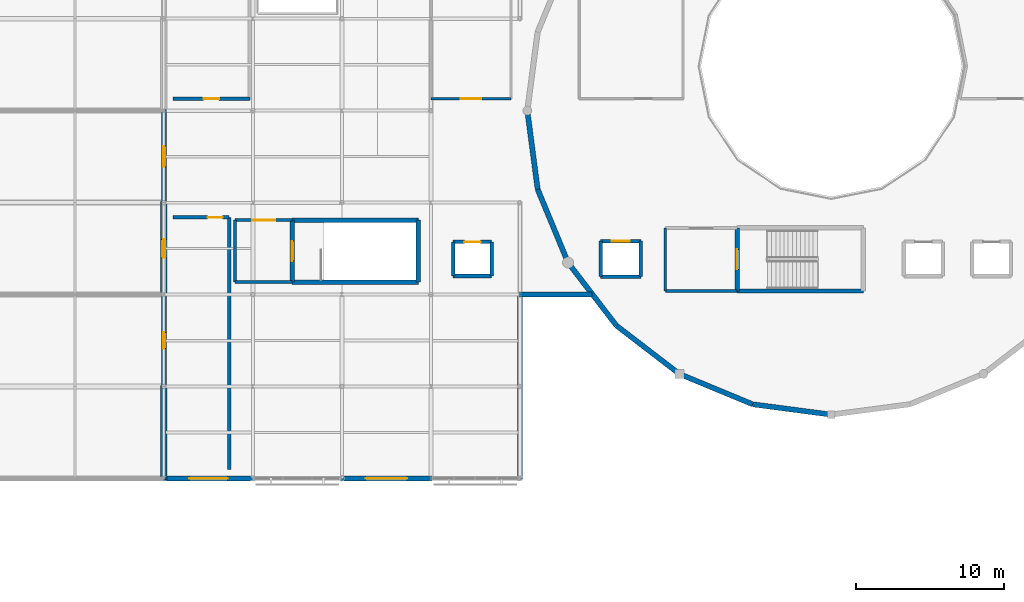
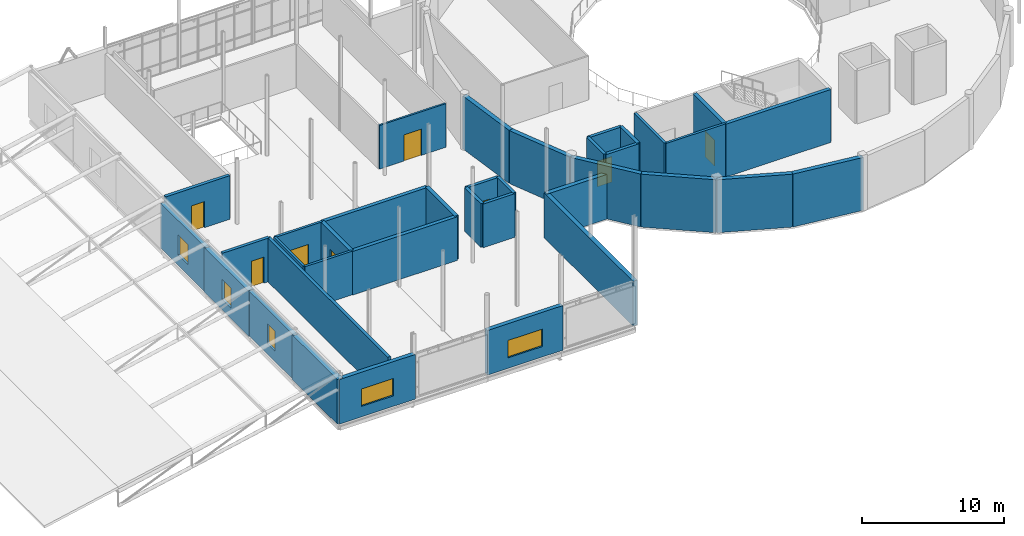
# One storey, part 44 of 66: 37 walls, 8 doors, 5 windows, 13 openings.
"""IFC4 building model written with IfcOpenShell, lengths in metres."""

from ifc_helpers import new_model, si_unit, direction, frame, frame_2d, origin, place, context, subcontext, project, spatial, rectangle, extrude, material, layer, layer_set, type_object, element, fill, save


model = new_model("IFC4")

# Units and contexts
model_context = context("Model", 3, precision=1e-05, world=origin(), true_north=direction((0.0, 1.0)))
body_context = subcontext(model_context, "Body", "Model", "MODEL_VIEW")
ifc_project = project(units=[si_unit("LENGTHUNIT", "METRE"), si_unit("AREAUNIT", "SQUARE_METRE"), si_unit("VOLUMEUNIT", "CUBIC_METRE"), si_unit("PLANEANGLEUNIT", "RADIAN"), si_unit("MASSUNIT", "GRAM", prefix="KILO")], contexts=[model_context])

# Site, building, storey
site_placement = place(None, origin())
site = spatial("IfcSite", under=ifc_project, at=site_placement, CompositionType="ELEMENT")
building_placement = place(site_placement, origin())
building = spatial("IfcBuilding", under=site, at=building_placement, Name="Mirzam Square Science Centre", CompositionType="ELEMENT")
storey_placement = place(building_placement, frame((0.0, 0.0, 15.60009765625)))
storey = spatial("IfcBuildingStorey", under=building, at=storey_placement, Name="L03", CompositionType="ELEMENT", Elevation=15.60009765625)

# Walls
ifc_material_1 = material(Name="Concrete C45/55", Category="concrete")
ifc_layer_1 = layer(ifc_material_1, 0.300048828125)
ifc_layer_set_1 = layer_set([ifc_layer_1], Name="W-CORE-300")
wall_type_1 = type_object("IfcWallType", Name="W-CORE-300", PredefinedType="SHEAR", material=ifc_layer_set_1)
for number, where, z_axis, x_axis, name in (
    (1, (44.639892578125, 50.43994140625, 0.0), (0.0, 0.0, 1.0), (1.0, 0.0, 0.0), "L03 CORE-1 south wall"),
    (2, (53.159912109375, 54.610107421875, 0.0), (0.0, 0.0, 1.0), (-1.0, 0.0, 0.0), "L03 CORE-1 north wall"),
):
    element("IfcWall", number, at=place(storey_placement, frame(where, z_axis=z_axis, x_axis=x_axis)), inside=storey, type_object=wall_type_1, Name=name, PredefinedType="SHEAR", context=body_context, shape_type="SweptSolid", body=[
        extrude(rectangle(XDim=8.52001953125, YDim=0.300048828125, at=frame_2d((4.260009765625, 0.0))), origin(), (0.0, 0.0, 1.0), 3.75),
    ])

# Wall, opening, door
wall_1_placement = place(storey_placement, frame((44.639892578125, 54.610107421875, 0.0), z_axis=(0.0, 0.0, 1.0), x_axis=(0.0, -1.0, 0.0)))
wall_1 = element("IfcWall", 3, at=wall_1_placement, inside=storey, type_object=wall_type_1, Name="L03 CORE-1 west wall", PredefinedType="SHEAR", context=body_context, shape_type="SweptSolid", body=[
    extrude(rectangle(XDim=4.170166015625, YDim=0.300048828125, at=frame_2d((2.0849609375, 0.0))), origin(), (0.0, 0.0, 1.0), 3.75),
])
opening_1_placement = place(wall_1_placement, frame((1.409912109375, 0.0, 0.0)))
opening_1 = element("IfcOpeningElement", 4, at=opening_1_placement, cuts=wall_1, Name="Opening DS-01", PredefinedType="OPENING", context=body_context, shape_type="SweptSolid", body=[
    extrude(rectangle(XDim=1.35009765625, YDim=2.199951171875, at=frame_2d((0.675048828125, 1.10009765625))), frame((0.0, 0.159912109375, 0.0), z_axis=(0.0, -1.0, 0.0), x_axis=(1.0, 0.0, 0.0)), (0.0, 0.0, 1.0), 0.320068359375),
])
ifc_material_2 = material(Name="Fire-Rated Powder-Coated Architectural Steel Door", Category="steel")
door_type_1 = type_object("IfcDoorType", Name="DR-STAIR-1350x2200", OperationType="NOTDEFINED", PredefinedType="DOOR", material=ifc_material_2)
door_1_placement = place(opening_1_placement, origin())
door_1 = element("IfcDoor", 5, at=door_1_placement, inside=storey, type_object=door_type_1, Name="DRS-1-L03", OperationType="SINGLE_SWING_LEFT", OverallHeight=2.199951171875, OverallWidth=1.35009765625, PredefinedType="DOOR", context=body_context, shape_type="SweptSolid", body=[
    extrude(rectangle(XDim=1.35009765625, YDim=2.199951171875, at=frame_2d((0.675048828125, 1.10009765625))), frame((0.0, 0.02490234375, 0.0), z_axis=(0.0, -1.0, 0.0), x_axis=(1.0, 0.0, 0.0)), (0.0, 0.0, 1.0), 0.050048828125),
])
fill(opening_1, door_1)

# Walls
wall_2_placement = place(storey_placement, frame((53.159912109375, 50.43994140625, 0.0), z_axis=(0.0, 0.0, 1.0), x_axis=(0.0, 1.0, 0.0)))
element("IfcWall", 6, at=wall_2_placement, inside=storey, type_object=wall_type_1, Name="L03 CORE-1 east wall", PredefinedType="SHEAR", context=body_context, shape_type="SweptSolid", body=[
    extrude(rectangle(XDim=4.170166015625, YDim=0.300048828125, at=frame_2d((2.0849609375, 0.0))), origin(), (0.0, 0.0, 1.0), 3.75),
])
wall_3_placement = place(storey_placement, frame((74.639892578125, 49.840087890625, 0.0), z_axis=(0.0, 0.0, 1.0), x_axis=(1.0, 0.0, 0.0)))
element("IfcWall", 7, at=wall_3_placement, inside=storey, type_object=wall_type_1, Name="L03 CORE-3 south wall", PredefinedType="SHEAR", context=body_context, shape_type="SweptSolid", body=[
    extrude(rectangle(XDim=8.52001953125, YDim=0.300048828125, at=frame_2d((4.260009765625, 0.0))), origin(), (0.0, 0.0, 1.0), 4.5498046875),
])

# Wall, opening, door
wall_4_placement = place(storey_placement, frame((74.639892578125, 54.090087890625, 0.0), z_axis=(0.0, 0.0, 1.0), x_axis=(0.0, -1.0, 0.0)))
wall_4 = element("IfcWall", 8, at=wall_4_placement, inside=storey, type_object=wall_type_1, Name="L03 CORE-3 west wall", PredefinedType="SHEAR", context=body_context, shape_type="SweptSolid", body=[
    extrude(rectangle(XDim=4.25, YDim=0.300048828125, at=frame_2d((2.125, 0.0))), origin(), (0.0, 0.0, 1.0), 4.5498046875),
])
opening_2_placement = place(wall_4_placement, frame((1.449951171875, 0.0, 0.0)))
opening_2 = element("IfcOpeningElement", 9, at=opening_2_placement, cuts=wall_4, Name="Opening DS-01", PredefinedType="OPENING", context=body_context, shape_type="SweptSolid", body=[
    extrude(rectangle(XDim=1.35009765625, YDim=2.199951171875, at=frame_2d((0.675048828125, 1.10009765625))), frame((0.0, 0.159912109375, 0.0), z_axis=(0.0, -1.0, 0.0), x_axis=(1.0, 0.0, 0.0)), (0.0, 0.0, 1.0), 0.320068359375),
])
door_2_placement = place(opening_2_placement, origin())
door_2 = element("IfcDoor", 10, at=door_2_placement, inside=storey, type_object=door_type_1, Name="DRS-3-L03", OperationType="SINGLE_SWING_LEFT", OverallHeight=2.199951171875, OverallWidth=1.35009765625, PredefinedType="DOOR", context=body_context, shape_type="SweptSolid", body=[
    extrude(rectangle(XDim=1.35009765625, YDim=2.199951171875, at=frame_2d((0.675048828125, 1.10009765625))), frame((0.0, 0.02490234375, 0.0), z_axis=(0.0, -1.0, 0.0), x_axis=(1.0, 0.0, 0.0)), (0.0, 0.0, 1.0), 0.050048828125),
])
fill(opening_2, door_2)

# Walls
ifc_layer_2 = layer(ifc_material_1, 0.35009765625)
ifc_layer_set_2 = layer_set([ifc_layer_2], Name="W-DRUM-350")
wall_type_2 = type_object("IfcWallType", Name="W-DRUM-350", PredefinedType="SHEAR", material=ifc_layer_set_2)
wall_5_placement = place(storey_placement, frame((60.5, 62.0, 0.0), z_axis=(0.0, 0.0, 1.0), x_axis=(0.130517056518, -0.991446064069, 0.0)))
element("IfcWall", 11, at=wall_5_placement, inside=storey, type_object=wall_type_2, Name="L03 planetarium drum wall 13", PredefinedType="SHEAR", context=body_context, shape_type="SweptSolid", body=[
    extrude(rectangle(XDim=5.351806640625, YDim=0.35009765625, at=frame_2d((2.67578125, 0.0))), origin(), (0.0, 0.0, 1.0), 4.5498046875),
])
for number, where, z_axis, x_axis, name in (
    (12, (61.198486328125, 56.694091796875, 0.0), (0.0, 0.0, 1.0), (0.382713071139, -0.923867255172, 0.0), "L03 planetarium drum wall 14"),
    (13, (63.24658203125, 51.75, 0.0), (0.0, 0.0, 1.0), (0.60876670321, -0.793349293227, 0.0), "L03 planetarium drum wall 15"),
    (14, (66.50439453125, 47.50439453125, 0.0), (0.0, 0.0, 1.0), (0.793349293227, -0.60876670321, 0.0), "L03 planetarium drum wall 16"),
    (15, (70.75, 44.24658203125, 0.0), (0.0, 0.0, 1.0), (0.923867255172, -0.382713071139, 0.0), "L03 planetarium drum wall 17"),
):
    element("IfcWall", number, at=place(storey_placement, frame(where, z_axis=z_axis, x_axis=x_axis)), inside=storey, type_object=wall_type_2, Name=name, PredefinedType="SHEAR", context=body_context, shape_type="SweptSolid", body=[
        extrude(rectangle(XDim=5.3515625, YDim=0.35009765625, at=frame_2d((2.67578125, 0.0))), origin(), (0.0, 0.0, 1.0), 4.5498046875),
    ])
wall_6_placement = place(storey_placement, frame((75.694091796875, 42.198486328125, 0.0), z_axis=(0.0, 0.0, 1.0), x_axis=(0.991446064069, -0.130517056518, 0.0)))
element("IfcWall", 16, at=wall_6_placement, inside=storey, type_object=wall_type_2, Name="L03 planetarium drum wall 18", PredefinedType="SHEAR", context=body_context, shape_type="SweptSolid", body=[
    extrude(rectangle(XDim=5.351806640625, YDim=0.35009765625, at=frame_2d((2.67578125, 0.0))), origin(), (0.0, 0.0, 1.0), 4.5498046875),
])
ifc_material_3 = material(Name="Honed Qatari Limestone Concrete C40/50", Category="masonry")
ifc_layer_3 = layer(ifc_material_3, 0.449951171875)
ifc_layer_set_3 = layer_set([ifc_layer_3], Name="W-EXT-LIME-450")
wall_type_3 = type_object("IfcWallType", Name="W-EXT-LIME-450", PredefinedType="SOLIDWALL", material=ifc_layer_set_3)
wall_7_placement = place(storey_placement, frame((36.0, 43.47509765625, 0.0), z_axis=(0.0, 0.0, 1.0), x_axis=(0.0, -1.0, 0.0)))
element("IfcWall", 17, at=wall_7_placement, inside=storey, type_object=wall_type_3, Name="L03 external wall EW-WDG-W-L03-07", PredefinedType="SOLIDWALL", context=body_context, shape_type="SweptSolid", body=[
    extrude(rectangle(XDim=6.35009765625, YDim=0.449951171875, at=frame_2d((3.175048828125, 0.0))), origin(), (0.0, 0.0, 1.0), 3.83984375),
])

# Wall, opening, window
wall_8_placement = place(storey_placement, frame((36.0, 55.875, 0.0), z_axis=(0.0, 0.0, 1.0), x_axis=(0.0, -1.0, 0.0)))
wall_8 = element("IfcWall", 18, at=wall_8_placement, inside=storey, type_object=wall_type_3, Name="L03 external wall EW-WDG-W-L03-09", PredefinedType="SOLIDWALL", context=body_context, shape_type="SweptSolid", body=[
    extrude(rectangle(XDim=6.35009765625, YDim=0.449951171875, at=frame_2d((3.175048828125, 0.0))), origin(), (0.0, 0.0, 1.0), 3.83984375),
])
opening_3_placement = place(wall_8_placement, frame((2.550048828125, 0.0, 0.89990234375)))
opening_3 = element("IfcOpeningElement", 19, at=opening_3_placement, cuts=wall_8, Name="Opening W-24", PredefinedType="OPENING", context=body_context, shape_type="SweptSolid", body=[
    extrude(rectangle(XDim=1.25, YDim=1.699951171875, at=frame_2d((0.625, 0.85009765625))), frame((0.0, 0.23486328125, 0.0), z_axis=(0.0, -1.0, 0.0), x_axis=(1.0, 0.0, 0.0)), (0.0, 0.0, 1.0), 0.469970703125),
])
ifc_material_4 = material(Name="Thermally Broken Bronze Aluminium and Low-E Glass", Category="aluminium")
window_type_1 = type_object("IfcWindowType", Name="WIN-1250x1700", PartitioningType="SINGLE_PANEL", PredefinedType="WINDOW", material=ifc_material_4)
window_1_placement = place(opening_3_placement, origin())
window_1 = element("IfcWindow", 20, at=window_1_placement, inside=storey, type_object=window_type_1, Name="L03 solar window 024", OverallHeight=1.699951171875, OverallWidth=1.25, PartitioningType="SINGLE_PANEL", PredefinedType="WINDOW", context=body_context, shape_type="SweptSolid", body=[
    extrude(rectangle(XDim=1.25, YDim=1.699951171875, at=frame_2d((0.625, 0.85009765625))), frame((0.0, 0.030029296875, 0.0), z_axis=(0.0, -1.0, 0.0), x_axis=(1.0, 0.0, 0.0)), (0.0, 0.0, 1.0), 0.06005859375),
])
fill(opening_3, window_1)

ifc_material_5 = material(Name="Standing-Seam Zinc-Clad Concrete Backup C40/50", Category="concrete")
ifc_layer_4 = layer(ifc_material_5, 0.330078125)
ifc_layer_set_4 = layer_set([ifc_layer_4], Name="W-EXT-METAL-330")
wall_type_4 = type_object("IfcWallType", Name="W-EXT-METAL-330", PredefinedType="SOLIDWALL", material=ifc_layer_set_4)
wall_9_placement = place(storey_placement, frame((35.925048828125, 37.199951171875, 0.0), z_axis=(0.0, 0.0, 1.0), x_axis=(1.0, 0.0, 0.0)))
wall_9 = element("IfcWall", 21, at=wall_9_placement, inside=storey, type_object=wall_type_4, Name="L03 external wall EW-WDG-S-L03-07", PredefinedType="SOLIDWALL", context=body_context, shape_type="SweptSolid", body=[
    extrude(rectangle(XDim=6.14990234375, YDim=0.330078125, at=frame_2d((3.074951171875, 0.0))), origin(), (0.0, 0.0, 1.0), 3.83984375),
])
opening_4_placement = place(wall_9_placement, frame((1.77490234375, 0.0, 0.89990234375)))
opening_4 = element("IfcOpeningElement", 22, at=opening_4_placement, cuts=wall_9, Name="Opening W-21", PredefinedType="OPENING", context=body_context, shape_type="SweptSolid", body=[
    extrude(rectangle(XDim=2.60009765625, YDim=1.5, at=frame_2d((1.300048828125, 0.75))), frame((0.0, 0.175048828125, 0.0), z_axis=(0.0, -1.0, 0.0), x_axis=(1.0, 0.0, 0.0)), (0.0, 0.0, 1.0), 0.35009765625),
])
window_type_2 = type_object("IfcWindowType", Name="WIN-2600x1500", PartitioningType="DOUBLE_PANEL_VERTICAL", PredefinedType="WINDOW", material=ifc_material_4)
window_2_placement = place(opening_4_placement, origin())
window_2 = element("IfcWindow", 23, at=window_2_placement, inside=storey, type_object=window_type_2, Name="L03 solar window 021", OverallHeight=1.5, OverallWidth=2.60009765625, PartitioningType="DOUBLE_PANEL_VERTICAL", PredefinedType="WINDOW", context=body_context, shape_type="SweptSolid", body=[
    extrude(rectangle(XDim=2.60009765625, YDim=1.5, at=frame_2d((1.300048828125, 0.75))), frame((0.0, 0.030029296875, 0.0), z_axis=(0.0, -1.0, 0.0), x_axis=(1.0, 0.0, 0.0)), (0.0, 0.0, 1.0), 0.06005859375),
])
fill(opening_4, window_2)

wall_10_placement = place(storey_placement, frame((47.925048828125, 37.199951171875, 0.0), z_axis=(0.0, 0.0, 1.0), x_axis=(1.0, 0.0, 0.0)))
wall_10 = element("IfcWall", 24, at=wall_10_placement, inside=storey, type_object=wall_type_4, Name="L03 external wall EW-WDG-S-L03-09", PredefinedType="SOLIDWALL", context=body_context, shape_type="SweptSolid", body=[
    extrude(rectangle(XDim=6.14990234375, YDim=0.330078125, at=frame_2d((3.074951171875, 0.0))), origin(), (0.0, 0.0, 1.0), 3.83984375),
])
opening_5_placement = place(wall_10_placement, frame((1.675048828125, 0.0, 0.89990234375)))
opening_5 = element("IfcOpeningElement", 25, at=opening_5_placement, cuts=wall_10, Name="Opening W-22", PredefinedType="OPENING", context=body_context, shape_type="SweptSolid", body=[
    extrude(rectangle(XDim=2.800048828125, YDim=1.5, at=frame_2d((1.39990234375, 0.75))), frame((0.0, 0.175048828125, 0.0), z_axis=(0.0, -1.0, 0.0), x_axis=(1.0, 0.0, 0.0)), (0.0, 0.0, 1.0), 0.35009765625),
])
window_type_3 = type_object("IfcWindowType", Name="WIN-2800x1500", PartitioningType="DOUBLE_PANEL_VERTICAL", PredefinedType="WINDOW", material=ifc_material_4)
window_3_placement = place(opening_5_placement, origin())
window_3 = element("IfcWindow", 26, at=window_3_placement, inside=storey, type_object=window_type_3, Name="L03 solar window 022", OverallHeight=1.5, OverallWidth=2.800048828125, PartitioningType="DOUBLE_PANEL_VERTICAL", PredefinedType="WINDOW", context=body_context, shape_type="SweptSolid", body=[
    extrude(rectangle(XDim=2.800048828125, YDim=1.5, at=frame_2d((1.39990234375, 0.75))), frame((0.0, 0.030029296875, 0.0), z_axis=(0.0, -1.0, 0.0), x_axis=(1.0, 0.0, 0.0)), (0.0, 0.0, 1.0), 0.06005859375),
])
fill(opening_5, window_3)

# Walls
ifc_layer_5 = layer(ifc_material_5, 0.35009765625)
ifc_layer_set_5 = layer_set([ifc_layer_5], Name="W-EXT-METAL-350")
wall_type_5 = type_object("IfcWallType", Name="W-EXT-METAL-350", PredefinedType="SOLIDWALL", material=ifc_layer_set_5)
wall_11_placement = place(storey_placement, frame((60.0, 37.125, 0.0), z_axis=(0.0, 0.0, 1.0), x_axis=(0.0, 1.0, 0.0)))
element("IfcWall", 27, at=wall_11_placement, inside=storey, type_object=wall_type_5, Name="L03 external wall EW-WDG-E-S-L03", PredefinedType="SOLIDWALL", context=body_context, shape_type="SweptSolid", body=[
    extrude(rectangle(XDim=12.550048828125, YDim=0.35009765625, at=frame_2d((6.27490234375, 0.0))), origin(), (0.0, 0.0, 1.0), 3.83984375),
])
wall_12_placement = place(storey_placement, frame((59.925048828125, 49.60009765625, 0.0), z_axis=(0.0, 0.0, 1.0), x_axis=(1.0, 0.0, 0.0)))
element("IfcWall", 28, at=wall_12_placement, inside=storey, type_object=wall_type_5, Name="L03 external wall EW-WDG-E-S2-L03", PredefinedType="SOLIDWALL", context=body_context, shape_type="SweptSolid", body=[
    extrude(rectangle(XDim=4.949951171875, YDim=0.35009765625, at=frame_2d((2.47509765625, 0.0))), origin(), (0.0, 0.0, 1.0), 3.83984375),
])

# Wall, opening, window
wall_13_placement = place(storey_placement, frame((36.0, 49.675048828125, 0.0), z_axis=(0.0, 0.0, 1.0), x_axis=(0.0, -1.0, 0.0)))
wall_13 = element("IfcWall", 29, at=wall_13_placement, inside=storey, type_object=wall_type_5, Name="L03 external wall EW-WDG-W-L03-08", PredefinedType="SOLIDWALL", context=body_context, shape_type="SweptSolid", body=[
    extrude(rectangle(XDim=6.35009765625, YDim=0.35009765625, at=frame_2d((3.175048828125, 0.0))), origin(), (0.0, 0.0, 1.0), 3.83984375),
])
opening_6_placement = place(wall_13_placement, frame((2.625, 0.0, 0.89990234375)))
opening_6 = element("IfcOpeningElement", 30, at=opening_6_placement, cuts=wall_13, Name="Opening W-23", PredefinedType="OPENING", context=body_context, shape_type="SweptSolid", body=[
    extrude(rectangle(XDim=1.10009765625, YDim=1.699951171875, at=frame_2d((0.550048828125, 0.85009765625))), frame((0.0, 0.18505859375, 0.0), z_axis=(0.0, -1.0, 0.0), x_axis=(1.0, 0.0, 0.0)), (0.0, 0.0, 1.0), 0.3701171875),
])
window_type_4 = type_object("IfcWindowType", Name="WIN-1100x1700", PartitioningType="SINGLE_PANEL", PredefinedType="WINDOW", material=ifc_material_4)
window_4_placement = place(opening_6_placement, origin())
window_4 = element("IfcWindow", 31, at=window_4_placement, inside=storey, type_object=window_type_4, Name="L03 solar window 023", OverallHeight=1.699951171875, OverallWidth=1.10009765625, PartitioningType="SINGLE_PANEL", PredefinedType="WINDOW", context=body_context, shape_type="SweptSolid", body=[
    extrude(rectangle(XDim=1.10009765625, YDim=1.699951171875, at=frame_2d((0.550048828125, 0.85009765625))), frame((0.0, 0.030029296875, 0.0), z_axis=(0.0, -1.0, 0.0), x_axis=(1.0, 0.0, 0.0)), (0.0, 0.0, 1.0), 0.06005859375),
])
fill(opening_6, window_4)

wall_14_placement = place(storey_placement, frame((36.0, 62.074951171875, 0.0), z_axis=(0.0, 0.0, 1.0), x_axis=(0.0, -1.0, 0.0)))
wall_14 = element("IfcWall", 32, at=wall_14_placement, inside=storey, type_object=wall_type_5, Name="L03 external wall EW-WDG-W-L03-10", PredefinedType="SOLIDWALL", context=body_context, shape_type="SweptSolid", body=[
    extrude(rectangle(XDim=6.349853515625, YDim=0.35009765625, at=frame_2d((3.1748046875, 0.0))), origin(), (0.0, 0.0, 1.0), 3.83984375),
])
opening_7_placement = place(wall_14_placement, frame((2.47509765625, 0.0, 0.89990234375)))
opening_7 = element("IfcOpeningElement", 33, at=opening_7_placement, cuts=wall_14, Name="Opening W-25", PredefinedType="OPENING", context=body_context, shape_type="SweptSolid", body=[
    extrude(rectangle(XDim=1.39990234375, YDim=1.699951171875, at=frame_2d((0.699951171875, 0.85009765625))), frame((0.0, 0.18505859375, 0.0), z_axis=(0.0, -1.0, 0.0), x_axis=(1.0, 0.0, 0.0)), (0.0, 0.0, 1.0), 0.3701171875),
])
window_type_5 = type_object("IfcWindowType", Name="WIN-1400x1700", PartitioningType="SINGLE_PANEL", PredefinedType="WINDOW", material=ifc_material_4)
window_5_placement = place(opening_7_placement, origin())
window_5 = element("IfcWindow", 34, at=window_5_placement, inside=storey, type_object=window_type_5, Name="L03 solar window 025", OverallHeight=1.699951171875, OverallWidth=1.39990234375, PartitioningType="SINGLE_PANEL", PredefinedType="WINDOW", context=body_context, shape_type="SweptSolid", body=[
    extrude(rectangle(XDim=1.39990234375, YDim=1.699951171875, at=frame_2d((0.699951171875, 0.85009765625))), frame((0.0, 0.030029296875, 0.0), z_axis=(0.0, -1.0, 0.0), x_axis=(1.0, 0.0, 0.0)), (0.0, 0.0, 1.0), 0.06005859375),
])
fill(opening_7, window_5)

# Wall
ifc_layer_6 = layer(ifc_material_1, 0.199951171875)
ifc_layer_set_6 = layer_set([ifc_layer_6], Name="W-LOBBY-200")
wall_type_6 = type_object("IfcWallType", Name="W-LOBBY-200", PredefinedType="SHEAR", material=ifc_layer_set_6)
wall_15_placement = place(storey_placement, frame((40.800048828125, 50.43994140625, 0.0), z_axis=(0.0, 0.0, 1.0), x_axis=(1.0, 0.0, 0.0)))
element("IfcWall", 35, at=wall_15_placement, inside=storey, type_object=wall_type_6, Name="L03 CORE-1 lobby south wall", PredefinedType="SHEAR", context=body_context, shape_type="SweptSolid", body=[
    extrude(rectangle(XDim=3.83984375, YDim=0.199951171875, at=frame_2d((1.919921875, 0.0))), origin(), (0.0, 0.0, 1.0), 3.75),
])

# Wall, opening, door
wall_16_placement = place(storey_placement, frame((44.639892578125, 54.610107421875, 0.0), z_axis=(0.0, 0.0, 1.0), x_axis=(-1.0, 0.0, 0.0)))
wall_16 = element("IfcWall", 36, at=wall_16_placement, inside=storey, type_object=wall_type_6, Name="L03 CORE-1 lobby north wall", PredefinedType="SHEAR", context=body_context, shape_type="SweptSolid", body=[
    extrude(rectangle(XDim=3.83984375, YDim=0.199951171875, at=frame_2d((1.919921875, 0.0))), origin(), (0.0, 0.0, 1.0), 3.75),
])
opening_8_placement = place(wall_16_placement, frame((1.14501953125, 0.0, 0.0)))
opening_8 = element("IfcOpeningElement", 37, at=opening_8_placement, cuts=wall_16, Name="Opening DL-01", PredefinedType="OPENING", context=body_context, shape_type="SweptSolid", body=[
    extrude(rectangle(XDim=1.550048828125, YDim=2.199951171875, at=frame_2d((0.77490234375, 1.10009765625))), frame((0.0, 0.10986328125, 0.0), z_axis=(0.0, -1.0, 0.0), x_axis=(1.0, 0.0, 0.0)), (0.0, 0.0, 1.0), 0.219970703125),
])
ifc_material_6 = material(Name="Fire-Rated Glazed Architectural Steel Lobby Door", Category="steel")
door_type_2 = type_object("IfcDoorType", Name="DR-LOBBY-1550x2200", OperationType="DOUBLE_DOOR_SINGLE_SWING", PredefinedType="DOOR", material=ifc_material_6)
door_3_placement = place(opening_8_placement, origin())
door_3 = element("IfcDoor", 38, at=door_3_placement, inside=storey, type_object=door_type_2, Name="DRL-1-L03", OperationType="SINGLE_SWING_LEFT", OverallHeight=2.199951171875, OverallWidth=1.550048828125, PredefinedType="DOOR", context=body_context, shape_type="SweptSolid", body=[
    extrude(rectangle(XDim=1.550048828125, YDim=2.199951171875, at=frame_2d((0.77490234375, 1.10009765625))), frame((0.0, 0.02490234375, 0.0), z_axis=(0.0, -1.0, 0.0), x_axis=(1.0, 0.0, 0.0)), (0.0, 0.0, 1.0), 0.050048828125),
])
fill(opening_8, door_3)

# Walls
wall_17_placement = place(storey_placement, frame((40.800048828125, 54.610107421875, 0.0), z_axis=(0.0, 0.0, 1.0), x_axis=(0.0, -1.0, 0.0)))
element("IfcWall", 39, at=wall_17_placement, inside=storey, type_object=wall_type_6, Name="L03 CORE-1 lobby west wall", PredefinedType="SHEAR", context=body_context, shape_type="SweptSolid", body=[
    extrude(rectangle(XDim=4.170166015625, YDim=0.199951171875, at=frame_2d((2.0849609375, 0.0))), origin(), (0.0, 0.0, 1.0), 3.75),
])
wall_18_placement = place(storey_placement, frame((69.800048828125, 49.840087890625, 0.0), z_axis=(0.0, 0.0, 1.0), x_axis=(1.0, 0.0, 0.0)))
element("IfcWall", 40, at=wall_18_placement, inside=storey, type_object=wall_type_6, Name="L03 CORE-3 lobby south wall", PredefinedType="SHEAR", context=body_context, shape_type="SweptSolid", body=[
    extrude(rectangle(XDim=4.83984375, YDim=0.199951171875, at=frame_2d((2.419921875, 0.0))), origin(), (0.0, 0.0, 1.0), 4.5498046875),
])
wall_19_placement = place(storey_placement, frame((69.800048828125, 54.090087890625, 0.0), z_axis=(0.0, 0.0, 1.0), x_axis=(0.0, -1.0, 0.0)))
element("IfcWall", 41, at=wall_19_placement, inside=storey, type_object=wall_type_6, Name="L03 CORE-3 lobby west wall", PredefinedType="SHEAR", context=body_context, shape_type="SweptSolid", body=[
    extrude(rectangle(XDim=4.25, YDim=0.199951171875, at=frame_2d((2.125, 0.0))), origin(), (0.0, 0.0, 1.0), 4.5498046875),
])

# Wall, opening, door
ifc_material_7 = material(Name="Laboratory Acoustic Partition", Category="gypsum")
ifc_layer_7 = layer(ifc_material_7, 0.14990234375)
ifc_layer_set_7 = layer_set([ifc_layer_7], Name="W-PART-150")
wall_type_7 = type_object("IfcWallType", Name="W-PART-150", PredefinedType="PARTITIONING", material=ifc_layer_set_7)
wall_20_placement = place(storey_placement, frame((59.39990234375, 62.800048828125, 0.0), z_axis=(0.0, 0.0, 1.0), x_axis=(-1.0, 0.0, 0.0)))
wall_20 = element("IfcWall", 42, at=wall_20_placement, inside=storey, type_object=wall_type_7, Name="L03 Solar Energy Systems School Workshop partition 236", PredefinedType="PARTITIONING", context=body_context, shape_type="SweptSolid", body=[
    extrude(rectangle(XDim=5.39990234375, YDim=0.14990234375, at=frame_2d((2.699951171875, 0.0))), origin(), (0.0, 0.0, 1.0), 3.75),
])
opening_9_placement = place(wall_20_placement, frame((2.0, 0.0, 0.0)))
opening_9 = element("IfcOpeningElement", 43, at=opening_9_placement, cuts=wall_20, Name="Opening D-19", PredefinedType="OPENING", context=body_context, shape_type="SweptSolid", body=[
    extrude(rectangle(XDim=1.39990234375, YDim=2.25, at=frame_2d((0.699951171875, 1.125))), frame((0.0, 0.0849609375, 0.0), z_axis=(0.0, -1.0, 0.0), x_axis=(1.0, 0.0, 0.0)), (0.0, 0.0, 1.0), 0.169921875),
])
ifc_material_8 = material(Name="Solid Core Acoustic Oak Timber Door", Category="wood")
door_type_3 = type_object("IfcDoorType", Name="DR-INT-1400x2250", OperationType="NOTDEFINED", PredefinedType="DOOR", material=ifc_material_8)
door_4_placement = place(opening_9_placement, origin())
door_4 = element("IfcDoor", 44, at=door_4_placement, inside=storey, type_object=door_type_3, Name="ID-L03-0066", OperationType="SINGLE_SWING_LEFT", OverallHeight=2.25, OverallWidth=1.39990234375, PredefinedType="DOOR", context=body_context, shape_type="SweptSolid", body=[
    extrude(rectangle(XDim=1.39990234375, YDim=2.25, at=frame_2d((0.699951171875, 1.125))), frame((0.0, 0.02490234375, 0.0), z_axis=(0.0, -1.0, 0.0), x_axis=(1.0, 0.0, 0.0)), (0.0, 0.0, 1.0), 0.050048828125),
])
fill(opening_9, door_4)

ifc_material_9 = material(Name="Plant Acoustic Barrier Wall Concrete C35/45", Category="concrete")
ifc_layer_8 = layer(ifc_material_9, 0.2451171875)
ifc_layer_set_8 = layer_set([ifc_layer_8], Name="W-PART-245")
wall_type_8 = type_object("IfcWallType", Name="W-PART-245", PredefinedType="PARTITIONING", material=ifc_layer_set_8)
wall_21_placement = place(storey_placement, frame((36.60009765625, 54.800048828125, 0.0), z_axis=(0.0, 0.0, 1.0), x_axis=(1.0, 0.0, 0.0)))
wall_21 = element("IfcWall", 45, at=wall_21_placement, inside=storey, type_object=wall_type_8, Name="L03 Solar Physics Interactive Gallery partition 225", PredefinedType="PARTITIONING", context=body_context, shape_type="SweptSolid", body=[
    extrude(rectangle(XDim=3.7998046875, YDim=0.2451171875, at=frame_2d((1.89990234375, 0.0))), origin(), (0.0, 0.0, 1.0), 3.75),
])
opening_10_placement = place(wall_21_placement, frame((2.35009765625, 0.0, 0.0)))
opening_10 = element("IfcOpeningElement", 46, at=opening_10_placement, cuts=wall_21, Name="Opening D-15", PredefinedType="OPENING", context=body_context, shape_type="SweptSolid", body=[
    extrude(rectangle(XDim=1.0, YDim=2.25, at=frame_2d((0.5, 1.125))), frame((0.0, 0.132568359375, 0.0), z_axis=(0.0, -1.0, 0.0), x_axis=(1.0, 0.0, 0.0)), (0.0, 0.0, 1.0), 0.26513671875),
])
door_type_4 = type_object("IfcDoorType", Name="DR-INT-1000x2250", OperationType="NOTDEFINED", PredefinedType="DOOR", material=ifc_material_8)
door_5_placement = place(opening_10_placement, origin())
door_5 = element("IfcDoor", 47, at=door_5_placement, inside=storey, type_object=door_type_4, Name="ID-L03-0062", OperationType="SINGLE_SWING_LEFT", OverallHeight=2.25, OverallWidth=1.0, PredefinedType="DOOR", context=body_context, shape_type="SweptSolid", body=[
    extrude(rectangle(XDim=1.0, YDim=2.25, at=frame_2d((0.5, 1.125))), frame((0.0, 0.02490234375, 0.0), z_axis=(0.0, -1.0, 0.0), x_axis=(1.0, 0.0, 0.0)), (0.0, 0.0, 1.0), 0.050048828125),
])
fill(opening_10, door_5)

# Wall
wall_22_placement = place(storey_placement, frame((40.39990234375, 54.800048828125, 0.0), z_axis=(0.0, 0.0, 1.0), x_axis=(0.0, -1.0, 0.0)))
element("IfcWall", 48, at=wall_22_placement, inside=storey, type_object=wall_type_8, Name="L03 Solar Physics Interactive Gallery partition 226", PredefinedType="PARTITIONING", context=body_context, shape_type="SweptSolid", body=[
    extrude(rectangle(XDim=17.0, YDim=0.2451171875, at=frame_2d((8.5, 0.0))), origin(), (0.0, 0.0, 1.0), 3.75),
])

# Wall, opening, door
ifc_material_10 = material(Name="Theatre Acoustic Isolation Wall Concrete C35/45", Category="concrete")
ifc_layer_9 = layer(ifc_material_10, 0.260009765625)
ifc_layer_set_9 = layer_set([ifc_layer_9], Name="W-PART-260")
wall_type_9 = type_object("IfcWallType", Name="W-PART-260", PredefinedType="PARTITIONING", material=ifc_layer_set_9)
wall_23_placement = place(storey_placement, frame((41.800048828125, 62.800048828125, 0.0), z_axis=(0.0, 0.0, 1.0), x_axis=(-1.0, 0.0, 0.0)))
wall_23 = element("IfcWall", 49, at=wall_23_placement, inside=storey, type_object=wall_type_9, Name="L03 Space Exploration Upper Exhibition Hall 5 partition 228", PredefinedType="PARTITIONING", context=body_context, shape_type="SweptSolid", body=[
    extrude(rectangle(XDim=5.199951171875, YDim=0.260009765625, at=frame_2d((2.60009765625, 0.0))), origin(), (0.0, 0.0, 1.0), 3.75),
])
opening_11_placement = place(wall_23_placement, frame((2.074951171875, 0.0, 0.0)))
opening_11 = element("IfcOpeningElement", 50, at=opening_11_placement, cuts=wall_23, Name="Opening D-16", PredefinedType="OPENING", context=body_context, shape_type="SweptSolid", body=[
    extrude(rectangle(XDim=1.050048828125, YDim=2.25, at=frame_2d((0.52490234375, 1.125))), frame((0.0, 0.139892578125, 0.0), z_axis=(0.0, -1.0, 0.0), x_axis=(1.0, 0.0, 0.0)), (0.0, 0.0, 1.0), 0.280029296875),
])
door_type_5 = type_object("IfcDoorType", Name="DR-INT-1050x2250", OperationType="NOTDEFINED", PredefinedType="DOOR", material=ifc_material_8)
door_6_placement = place(opening_11_placement, origin())
door_6 = element("IfcDoor", 51, at=door_6_placement, inside=storey, type_object=door_type_5, Name="ID-L03-0063", OperationType="SINGLE_SWING_RIGHT", OverallHeight=2.25, OverallWidth=1.050048828125, PredefinedType="DOOR", context=body_context, shape_type="SweptSolid", body=[
    extrude(rectangle(XDim=1.050048828125, YDim=2.25, at=frame_2d((0.52490234375, 1.125))), frame((0.0, 0.02490234375, 0.0), z_axis=(0.0, -1.0, 0.0), x_axis=(1.0, 0.0, 0.0)), (0.0, 0.0, 1.0), 0.050048828125),
])
fill(opening_11, door_6)

# Wall
ifc_layer_10 = layer(ifc_material_1, 0.25)
ifc_layer_set_10 = layer_set([ifc_layer_10], Name="W-SHAFT-250")
wall_type_10 = type_object("IfcWallType", Name="W-SHAFT-250", PredefinedType="SHEAR", material=ifc_layer_set_10)
wall_24_placement = place(storey_placement, frame((55.5, 50.85009765625, 0.0), z_axis=(0.0, 0.0, 1.0), x_axis=(1.0, 0.0, 0.0)))
element("IfcWall", 52, at=wall_24_placement, inside=storey, type_object=wall_type_10, Name="L03 lift LP-04 shaft wall S", PredefinedType="SHEAR", context=body_context, shape_type="SweptSolid", body=[
    extrude(rectangle(XDim=2.60009765625, YDim=0.25, at=frame_2d((1.300048828125, 0.0))), origin(), (0.0, 0.0, 1.0), 3.75),
])

# Wall, opening, door
wall_25_placement = place(storey_placement, frame((58.10009765625, 53.14990234375, 0.0), z_axis=(0.0, 0.0, 1.0), x_axis=(-1.0, 0.0, 0.0)))
wall_25 = element("IfcWall", 53, at=wall_25_placement, inside=storey, type_object=wall_type_10, Name="L03 lift LP-04 shaft wall N", PredefinedType="SHEAR", context=body_context, shape_type="SweptSolid", body=[
    extrude(rectangle(XDim=2.60009765625, YDim=0.25, at=frame_2d((1.300048828125, 0.0))), origin(), (0.0, 0.0, 1.0), 3.75),
])
opening_12_placement = place(wall_25_placement, frame((0.75, 0.0, 0.0)))
opening_12 = element("IfcOpeningElement", 54, at=opening_12_placement, cuts=wall_25, Name="Opening LD-01", PredefinedType="OPENING", context=body_context, shape_type="SweptSolid", body=[
    extrude(rectangle(XDim=1.10009765625, YDim=2.14990234375, at=frame_2d((0.550048828125, 1.074951171875))), frame((0.0, 0.135009765625, 0.0), z_axis=(0.0, -1.0, 0.0), x_axis=(1.0, 0.0, 0.0)), (0.0, 0.0, 1.0), 0.27001953125),
])
ifc_material_11 = material(Name="Brushed Stainless Steel 316L Sliding Lift Door", Category="steel")
door_type_6 = type_object("IfcDoorType", Name="LD-PASS-1100x2150", OperationType="DOUBLE_DOOR_SLIDING", PredefinedType="DOOR", material=ifc_material_11)
door_7_placement = place(opening_12_placement, origin())
door_7 = element("IfcDoor", 55, at=door_7_placement, inside=storey, type_object=door_type_6, Name="LD-LP-04-L03", OperationType="DOUBLE_DOOR_SLIDING", OverallHeight=2.14990234375, OverallWidth=1.10009765625, PredefinedType="DOOR", context=body_context, shape_type="SweptSolid", body=[
    extrude(rectangle(XDim=1.10009765625, YDim=2.14990234375, at=frame_2d((0.550048828125, 1.074951171875))), frame((0.0, 0.02490234375, 0.0), z_axis=(0.0, -1.0, 0.0), x_axis=(1.0, 0.0, 0.0)), (0.0, 0.0, 1.0), 0.050048828125),
])
fill(opening_12, door_7)

# Walls
for number, where, z_axis, x_axis, name in (
    (56, (55.5, 53.14990234375, 0.0), (0.0, 0.0, 1.0), (0.0, -1.0, 0.0), "L03 lift LP-04 shaft wall W"),
    (57, (58.10009765625, 50.85009765625, 0.0), (0.0, 0.0, 1.0), (0.0, 1.0, 0.0), "L03 lift LP-04 shaft wall E"),
):
    element("IfcWall", number, at=place(storey_placement, frame(where, z_axis=z_axis, x_axis=x_axis)), inside=storey, type_object=wall_type_10, Name=name, PredefinedType="SHEAR", context=body_context, shape_type="SweptSolid", body=[
        extrude(rectangle(XDim=2.2998046875, YDim=0.25, at=frame_2d((1.14990234375, 0.0))), origin(), (0.0, 0.0, 1.0), 3.75),
    ])
wall_26_placement = place(storey_placement, frame((65.449951171875, 50.800048828125, 0.0), z_axis=(0.0, 0.0, 1.0), x_axis=(1.0, 0.0, 0.0)))
element("IfcWall", 58, at=wall_26_placement, inside=storey, type_object=wall_type_10, Name="L03 lift LF-01 shaft wall S", PredefinedType="SHEAR", context=body_context, shape_type="SweptSolid", body=[
    extrude(rectangle(XDim=2.699951171875, YDim=0.25, at=frame_2d((1.35009765625, 0.0))), origin(), (0.0, 0.0, 1.0), 4.5498046875),
])

# Wall, opening, door
wall_27_placement = place(storey_placement, frame((68.14990234375, 53.199951171875, 0.0), z_axis=(0.0, 0.0, 1.0), x_axis=(-1.0, 0.0, 0.0)))
wall_27 = element("IfcWall", 59, at=wall_27_placement, inside=storey, type_object=wall_type_10, Name="L03 lift LF-01 shaft wall N", PredefinedType="SHEAR", context=body_context, shape_type="SweptSolid", body=[
    extrude(rectangle(XDim=2.699951171875, YDim=0.25, at=frame_2d((1.35009765625, 0.0))), origin(), (0.0, 0.0, 1.0), 4.5498046875),
])
opening_13_placement = place(wall_27_placement, frame((0.75, 0.0, 0.0)))
opening_13 = element("IfcOpeningElement", 60, at=opening_13_placement, cuts=wall_27, Name="Opening LD-02", PredefinedType="OPENING", context=body_context, shape_type="SweptSolid", body=[
    extrude(rectangle(XDim=1.199951171875, YDim=2.199951171875, at=frame_2d((0.60009765625, 1.10009765625))), frame((0.0, 0.135009765625, 0.0), z_axis=(0.0, -1.0, 0.0), x_axis=(1.0, 0.0, 0.0)), (0.0, 0.0, 1.0), 0.27001953125),
])
ifc_material_12 = material(Name="Firefighting Brushed Stainless Steel 316L Sliding Door", Category="steel")
door_type_7 = type_object("IfcDoorType", Name="LD-FIRE-1200x2200", OperationType="DOUBLE_DOOR_SLIDING", PredefinedType="DOOR", material=ifc_material_12)
door_8_placement = place(opening_13_placement, origin())
door_8 = element("IfcDoor", 61, at=door_8_placement, inside=storey, type_object=door_type_7, Name="LD-LF-01-L03", OperationType="DOUBLE_DOOR_SLIDING", OverallHeight=2.199951171875, OverallWidth=1.199951171875, PredefinedType="DOOR", context=body_context, shape_type="SweptSolid", body=[
    extrude(rectangle(XDim=1.199951171875, YDim=2.199951171875, at=frame_2d((0.60009765625, 1.10009765625))), frame((0.0, 0.02490234375, 0.0), z_axis=(0.0, -1.0, 0.0), x_axis=(1.0, 0.0, 0.0)), (0.0, 0.0, 1.0), 0.050048828125),
])
fill(opening_13, door_8)

# Walls
for number, where, z_axis, x_axis, name in (
    (62, (65.449951171875, 53.199951171875, 0.0), (0.0, 0.0, 1.0), (0.0, -1.0, 0.0), "L03 lift LF-01 shaft wall W"),
    (63, (68.14990234375, 50.800048828125, 0.0), (0.0, 0.0, 1.0), (0.0, 1.0, 0.0), "L03 lift LF-01 shaft wall E"),
):
    element("IfcWall", number, at=place(storey_placement, frame(where, z_axis=z_axis, x_axis=x_axis)), inside=storey, type_object=wall_type_10, Name=name, PredefinedType="SHEAR", context=body_context, shape_type="SweptSolid", body=[
        extrude(rectangle(XDim=2.39990234375, YDim=0.25, at=frame_2d((1.199951171875, 0.0))), origin(), (0.0, 0.0, 1.0), 4.5498046875),
    ])

save(model, "model.ifc")
